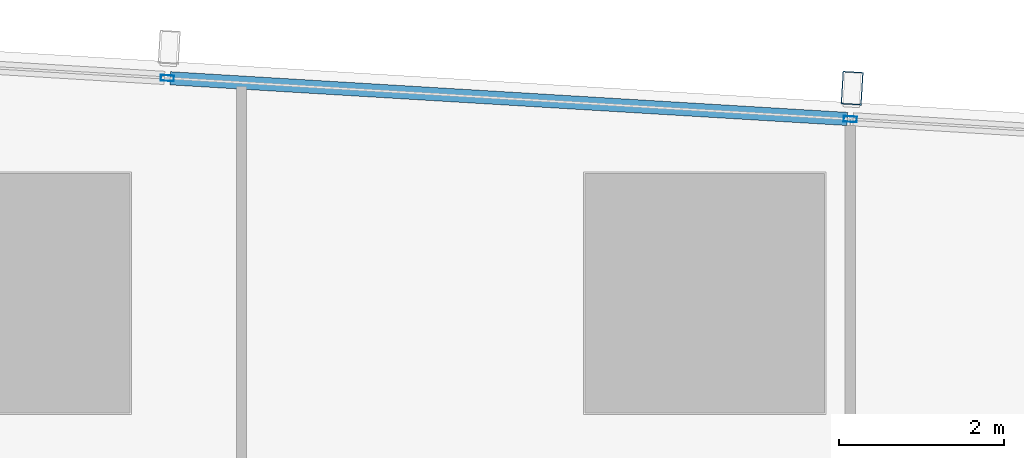
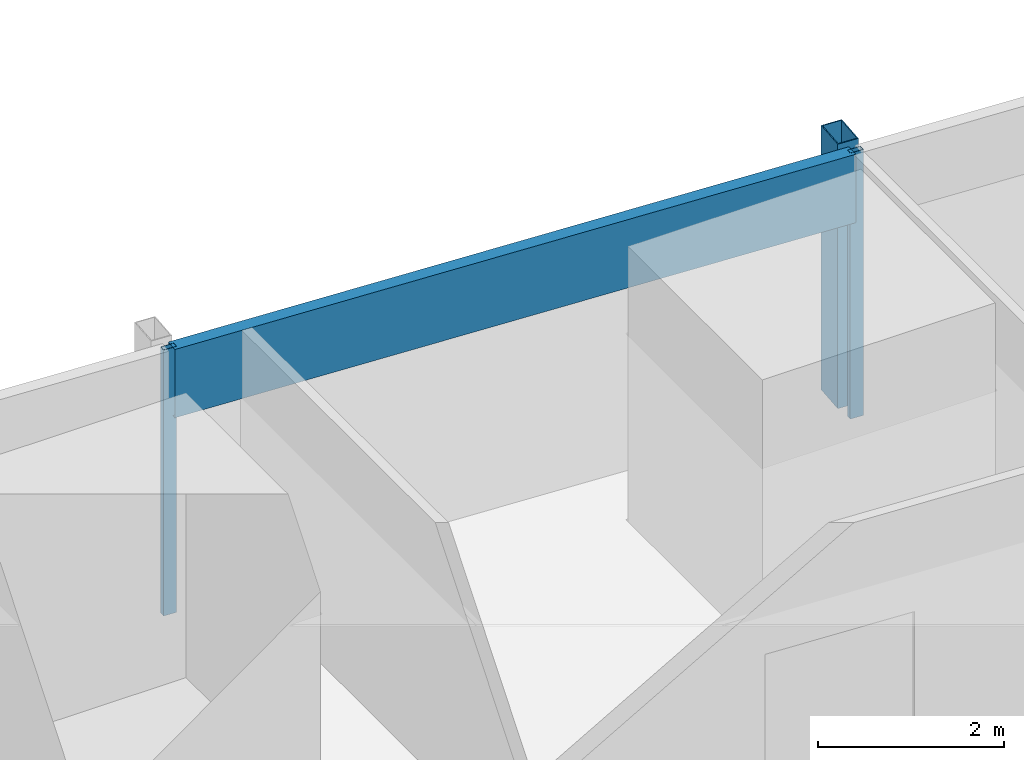
# One storey, part 19 of 40: 4 members, 1 element without a shape of its own.
"""IFC4 building model written with IfcOpenShell, lengths in metres."""

from ifc_helpers import new_model, si_unit, direction, frame, origin, origin_2d, place, context, subcontext, project, spatial, hollow_rectangle, extrude, material, material_profile, profile_set, type_object, element, aggregate, save


model = new_model("IFC4")

# Units and contexts
model_context = context("Model", 3, precision=1e-05, world=origin(), true_north=direction((0.0, 1.0)))
body_context = subcontext(model_context, "Body", "Model", "MODEL_VIEW")
ifc_project = project(units=[si_unit("LENGTHUNIT", "METRE"), si_unit("AREAUNIT", "SQUARE_METRE"), si_unit("VOLUMEUNIT", "CUBIC_METRE"), si_unit("PLANEANGLEUNIT", "RADIAN"), si_unit("MASSUNIT", "GRAM", prefix="KILO")], contexts=[model_context])

# Site, building, storey
site_placement = place(None, origin())
site = spatial("IfcSite", under=ifc_project, at=site_placement, CompositionType="ELEMENT")
building_placement = place(site_placement, origin())
building = spatial("IfcBuilding", under=site, at=building_placement, Name="Rekha Terrace Tower", CompositionType="ELEMENT")
storey_placement = place(building_placement, frame((0.0, 0.0, 95.300048828125)))
storey = spatial("IfcBuildingStorey", under=building, at=storey_placement, Name="L23", CompositionType="ELEMENT", Elevation=95.300048828125)

# Curtain wall, members
ifc_material_1 = material(Name="Aluminium framing", Category="aluminium")
curtain_wall_type = type_object("IfcCurtainWallType", Name="CW3 north unitised glazing", PredefinedType="USERDEFINED", material=ifc_material_1)
curtain_wall_placement = place(storey_placement, origin())
curtain_wall = element("IfcCurtainWall", 1, at=curtain_wall_placement, inside=storey, type_object=curtain_wall_type, Name="CW3 unitised curtain wall", ObjectType="UNITISED CURTAIN WALL", PredefinedType="USERDEFINED")
ifc_material_2 = material(Name="Steel S355 with fluorocarbon finish", Category="steel")
ifc_material_profile_1 = material_profile(ifc_material_2, hollow_rectangle(XDim=0.25, YDim=0.39990234375, WallThickness=0.012451171875, at=origin_2d()), Name="RHS400x250x12.5")
ifc_profile_set_1 = profile_set([ifc_material_profile_1], Name="Steel S355 with fluorocarbon finish")
member_type_1 = type_object("IfcMemberType", Name="BL1 facade blade RHS 400 x 250", PredefinedType="USERDEFINED", material=ifc_profile_set_1)
member_1_placement = place(storey_placement, frame((60.583740234375, 61.281005859375, 0.02001953125), z_axis=(0.0, 0.0, 1.0), x_axis=(-0.998199123409, 0.059987582268, 0.0)))
member_1 = element("IfcMember", 2, at=member_1_placement, type_object=member_type_1, Name="Facade blade", ObjectType="FACADE BLADE", PredefinedType="USERDEFINED", context=body_context, shape_type="SweptSolid", body=[
    extrude(hollow_rectangle(XDim=0.25, YDim=0.39990234375, WallThickness=0.012451171875, at=origin_2d()), origin(), (0.0, 0.0, 1.0), 3.47998046875),
])
ifc_material_3 = material(Name="Aluminium mullion section", Category="aluminium")
ifc_material_profile_2 = material_profile(ifc_material_3, hollow_rectangle(XDim=0.070068359375, YDim=0.159912109375, WallThickness=0.00390625, at=origin_2d()), Name="AL RHS 70x160")
ifc_profile_set_2 = profile_set([ifc_material_profile_2], Name="Aluminium mullion section")
member_type_2 = type_object("IfcMemberType", Name="CW3 mullion RHS 70 x 160", PredefinedType="MULLION", material=ifc_profile_set_2)
member_2_placement = place(storey_placement, frame((60.561279296875, 60.90673828125, 0.0), z_axis=(0.0, 0.0, 1.0), x_axis=(-0.059987926837, -0.998199102701, 0.0)))
member_2 = element("IfcMember", 3, at=member_2_placement, type_object=member_type_2, Name="CW3 mullion 2", PredefinedType="MULLION", context=body_context, shape_type="SweptSolid", body=[
    extrude(hollow_rectangle(XDim=0.070068359375, YDim=0.159912109375, WallThickness=0.00390625, at=origin_2d()), origin(), (0.0, 0.0, 1.0), 3.5),
])
member_3_placement = place(storey_placement, frame((52.299560546875, 61.4033203125, 0.0), z_axis=(0.0, 0.0, 1.0), x_axis=(-0.059987926837, -0.998199102701, 0.0)))
member_3 = element("IfcMember", 4, at=member_3_placement, type_object=member_type_2, Name="CW3 mullion 3", PredefinedType="MULLION", context=body_context, shape_type="SweptSolid", body=[
    extrude(hollow_rectangle(XDim=0.070068359375, YDim=0.159912109375, WallThickness=0.00390625, at=origin_2d()), origin(), (0.0, 0.0, 1.0), 3.5),
])
ifc_material_4 = material(Name="Insulated aluminium spandrel box", Category="aluminium")
ifc_material_profile_3 = material_profile(ifc_material_4, hollow_rectangle(XDim=0.159912109375, YDim=0.89990234375, WallThickness=0.0029296875, at=origin_2d()), Name="AL SPANDREL BOX 160x900")
ifc_profile_set_3 = profile_set([ifc_material_profile_3], Name="Insulated aluminium spandrel box")
member_type_3 = type_object("IfcMemberType", Name="CW3 spandrel transom 160 x 900", PredefinedType="USERDEFINED", material=ifc_profile_set_3)
member_4_placement = place(storey_placement, frame((60.5263671875, 60.908935546875, 3.050048828125), z_axis=(-0.998199826332, 0.059975884418, 0.0), x_axis=(-0.059975884418, -0.998199826332, 0.0)))
member_4 = element("IfcMember", 5, at=member_4_placement, type_object=member_type_3, Name="CW3 spandrel transom 2", ObjectType="TRANSOM", PredefinedType="USERDEFINED", context=body_context, shape_type="SweptSolid", body=[
    extrude(hollow_rectangle(XDim=0.159912109375, YDim=0.89990234375, WallThickness=0.0029296875, at=origin_2d()), origin(), (0.0, 0.0, 1.0), 8.20654296875),
])
aggregate(curtain_wall, [member_2, member_3, member_4, member_1])

save(model, "model.ifc")
